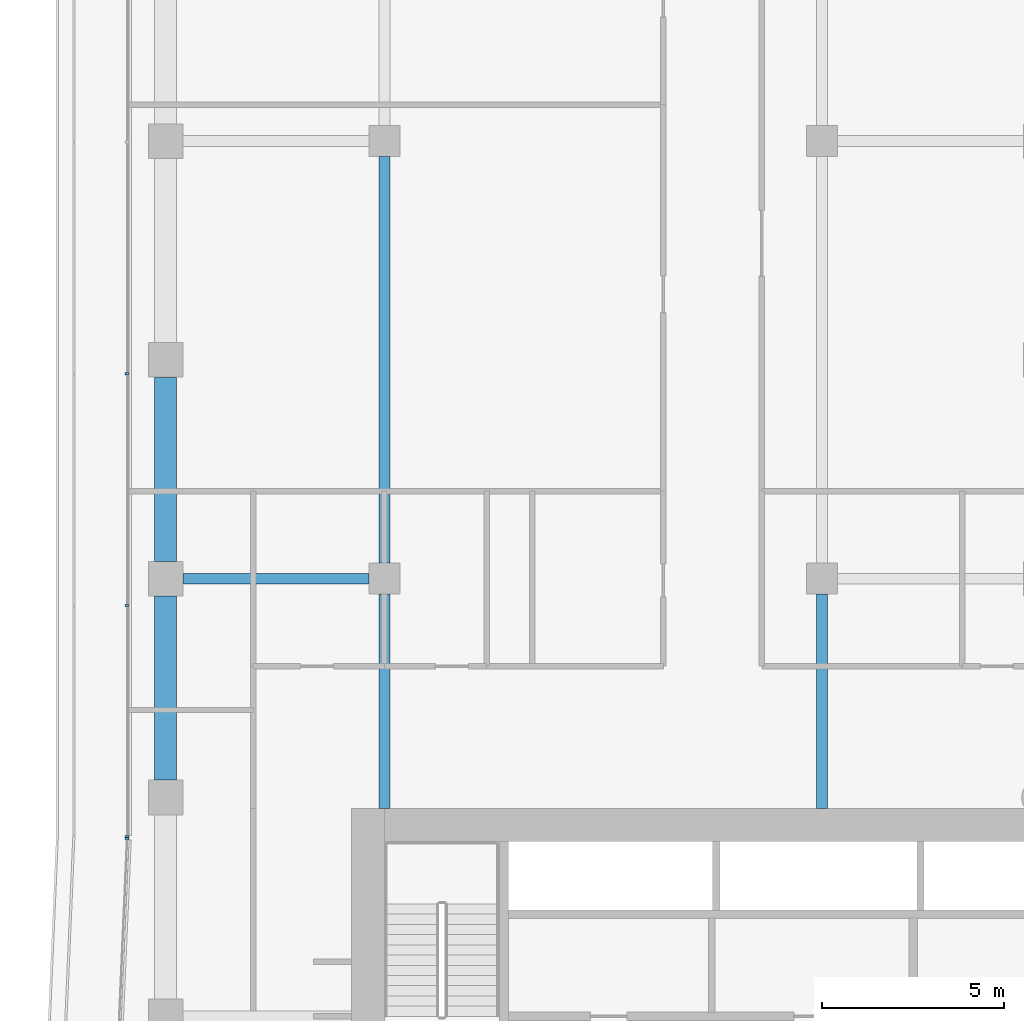
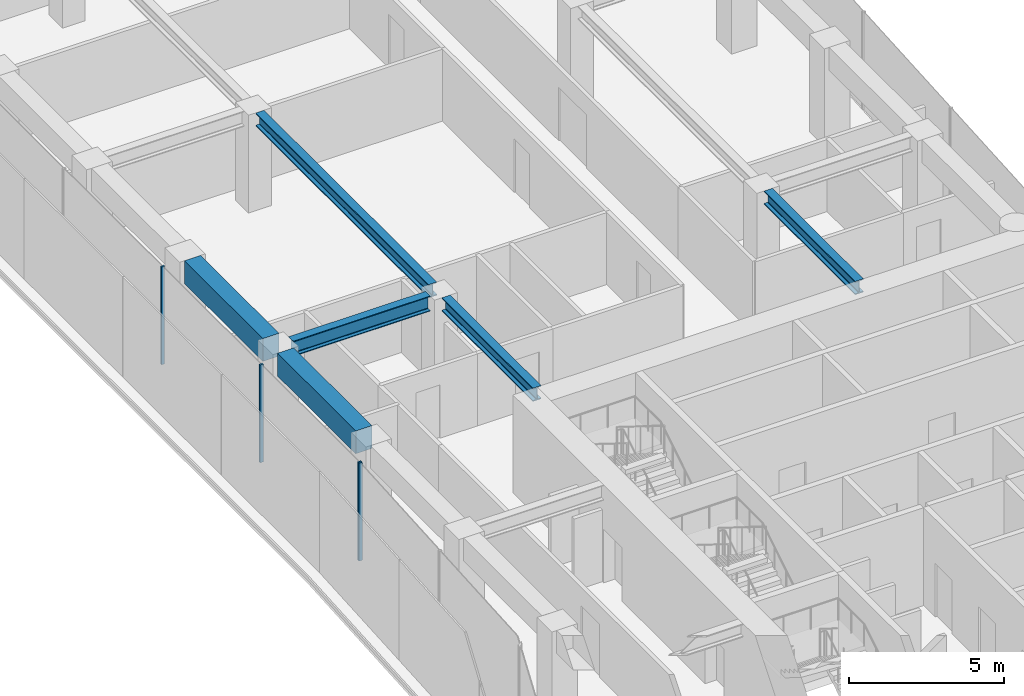
# One storey, part 12 of 29: 6 beams, 4 members, 2 elements without a shape of their own.
"""IFC4 building model written with IfcOpenShell, lengths in metres."""

from ifc_helpers import new_model, si_unit, direction, frame, origin, origin_2d, place, context, subcontext, project, spatial, rectangle, i_section, extrude, material, layer, layer_set, material_profile, profile_set, type_object, element, aggregate, save


model = new_model("IFC4")

# Units and contexts
model_context = context("Model", 3, precision=1e-05, world=origin(), true_north=direction((0.0, 1.0)))
body_context = subcontext(model_context, "Body", "Model", "MODEL_VIEW")
ifc_project = project(units=[si_unit("LENGTHUNIT", "METRE"), si_unit("AREAUNIT", "SQUARE_METRE"), si_unit("VOLUMEUNIT", "CUBIC_METRE"), si_unit("PLANEANGLEUNIT", "RADIAN"), si_unit("MASSUNIT", "GRAM", prefix="KILO")], contexts=[model_context])

# Site, building, storey
site_placement = place(None, origin())
site = spatial("IfcSite", under=ifc_project, at=site_placement, CompositionType="ELEMENT")
building_placement = place(site_placement, origin())
building = spatial("IfcBuilding", under=site, at=building_placement, Name="Welwitschia Terrace Campus", CompositionType="ELEMENT")
storey_placement = place(building_placement, frame((0.0, 0.0, 41.60009765625)))
storey = spatial("IfcBuildingStorey", under=building, at=storey_placement, Name="L09", CompositionType="ELEMENT", Elevation=41.60009765625)

# Beams
ifc_material_1 = material(Name="Steel S355", Category="steel")
ifc_material_profile_1 = material_profile(ifc_material_1, i_section(OverallWidth=0.305908203125, OverallDepth=0.52392578125, WebThickness=0.02099609375, FlangeThickness=0.0400390625, FilletRadius=0.027099609375, at=origin_2d()))
ifc_profile_set_1 = profile_set([ifc_material_profile_1], Name="Steel S355")
beam_type_1 = type_object("IfcBeamType", Name="Interior girder HE 500 M", PredefinedType="BEAM", material=ifc_profile_set_1)
beam_1_placement = place(storey_placement, frame((6.0, 25.700927734375, 3.587890625), z_axis=(0.0, 1.0, 0.0), x_axis=(-1.0, 0.0, 0.0)))
element("IfcBeam", 1, at=beam_1_placement, inside=storey, type_object=beam_type_1, Name="Girder GB2", PredefinedType="BEAM", context=body_context, shape_type="SweptSolid", body=[
    extrude(i_section(OverallWidth=0.305908203125, OverallDepth=0.52392578125, WebThickness=0.02099609375, FlangeThickness=0.0400390625, FilletRadius=0.027099609375, at=origin_2d()), origin(), (0.0, 0.0, 1.0), 5.87353515625),
])
beam_2_placement = place(storey_placement, frame((6.0, 32.425537109375, 3.587890625), z_axis=(0.0, 1.0, 0.0), x_axis=(-1.0, 0.0, 0.0)))
element("IfcBeam", 2, at=beam_2_placement, inside=storey, type_object=beam_type_1, Name="Girder GB2", PredefinedType="BEAM", context=body_context, shape_type="SweptSolid", body=[
    extrude(i_section(OverallWidth=0.305908203125, OverallDepth=0.52392578125, WebThickness=0.02099609375, FlangeThickness=0.0400390625, FilletRadius=0.027099609375, at=origin_2d()), origin(), (0.0, 0.0, 1.0), 11.14892578125),
])
beam_3_placement = place(storey_placement, frame((18.0, 25.700927734375, 3.587890625), z_axis=(0.0, 1.0, 0.0), x_axis=(-1.0, 0.0, 0.0)))
element("IfcBeam", 3, at=beam_3_placement, inside=storey, type_object=beam_type_1, Name="Girder GB2", PredefinedType="BEAM", context=body_context, shape_type="SweptSolid", body=[
    extrude(i_section(OverallWidth=0.305908203125, OverallDepth=0.52392578125, WebThickness=0.02099609375, FlangeThickness=0.0400390625, FilletRadius=0.027099609375, at=origin_2d()), origin(), (0.0, 0.0, 1.0), 5.87353515625),
])

# Curtain wall, member
ifc_material_2 = material(Name="Bronze anodised aluminium", Category="aluminium")
ifc_layer = layer(ifc_material_2, 0.1201171875)
ifc_layer_set = layer_set([ifc_layer], Name="Bronze anodised aluminium")
curtain_wall_type = type_object("IfcCurtainWallType", Name="Curtain wall CW2 tower 6000", PredefinedType="NOTDEFINED", material=ifc_layer_set)
curtain_wall_1_placement = place(storey_placement, origin())
curtain_wall_1 = element("IfcCurtainWall", 4, at=curtain_wall_1_placement, inside=storey, type_object=curtain_wall_type, Name="CW L09.0.0", PredefinedType="NOTDEFINED")
ifc_material_3 = material(Name="Bronze anodised aluminium", Category="aluminium")
ifc_material_profile_2 = material_profile(ifc_material_3, rectangle(XDim=0.1201171875, YDim=0.06005859375, at=origin_2d()))
ifc_profile_set_2 = profile_set([ifc_material_profile_2], Name="Bronze anodised aluminium")
member_type = type_object("IfcMemberType", Name="Mullion 60x120", PredefinedType="MULLION", material=ifc_profile_set_2)
member_1_placement = place(storey_placement, frame((-1.059326171875, 24.873291015625, 0.0), z_axis=(0.0, 0.0, 1.0), x_axis=(0.999048221582, -0.043619387365, 0.0)))
member_1 = element("IfcMember", 5, at=member_1_placement, type_object=member_type, Name="Mullion L09.0.0.0", PredefinedType="MULLION", context=body_context, shape_type="SweptSolid", body=[
    extrude(rectangle(XDim=0.1201171875, YDim=0.06005859375, at=origin_2d()), origin(), (0.0, 0.0, 1.0), 3.849853515625),
])
aggregate(curtain_wall_1, [member_1])

# Curtain wall, members
curtain_wall_2_placement = place(storey_placement, origin())
curtain_wall_2 = element("IfcCurtainWall", 6, at=curtain_wall_2_placement, inside=storey, type_object=curtain_wall_type, Name="CW L09.13.0", PredefinedType="NOTDEFINED")
member_2_placement = place(storey_placement, frame((-1.05810546875, 37.6201171875, 0.0), z_axis=(0.0, 0.0, 1.0), x_axis=(1.0, 0.0, 0.0)))
member_2 = element("IfcMember", 7, at=member_2_placement, type_object=member_type, Name="Mullion L09.13.0.4", PredefinedType="MULLION", context=body_context, shape_type="SweptSolid", body=[
    extrude(rectangle(XDim=0.1201171875, YDim=0.06005859375, at=origin_2d()), origin(), (0.0, 0.0, 1.0), 3.849853515625),
])
member_3_placement = place(storey_placement, frame((-1.05810546875, 31.26171875, 0.0), z_axis=(0.0, 0.0, 1.0), x_axis=(1.0, 0.0, 0.0)))
member_3 = element("IfcMember", 8, at=member_3_placement, type_object=member_type, Name="Mullion L09.13.0.5", PredefinedType="MULLION", context=body_context, shape_type="SweptSolid", body=[
    extrude(rectangle(XDim=0.1201171875, YDim=0.06005859375, at=origin_2d()), origin(), (0.0, 0.0, 1.0), 3.849853515625),
])
member_4_placement = place(storey_placement, frame((-1.05810546875, 24.93310546875, 0.0), z_axis=(0.0, 0.0, 1.0), x_axis=(1.0, 0.0, 0.0)))
member_4 = element("IfcMember", 9, at=member_4_placement, type_object=member_type, Name="Mullion L09.13.0.6", PredefinedType="MULLION", context=body_context, shape_type="SweptSolid", body=[
    extrude(rectangle(XDim=0.1201171875, YDim=0.06005859375, at=origin_2d()), origin(), (0.0, 0.0, 1.0), 3.849853515625),
])
aggregate(curtain_wall_2, [member_2, member_3, member_4])

# Beams
ifc_material_4 = material(Name="Steel S355", Category="steel")
ifc_material_profile_3 = material_profile(ifc_material_4, i_section(OverallWidth=0.300048828125, OverallDepth=0.60009765625, WebThickness=0.015380859375, FlangeThickness=0.030029296875, FilletRadius=0.027099609375, at=origin_2d()))
ifc_profile_set_3 = profile_set([ifc_material_profile_3], Name="Steel S355")
beam_type_2 = type_object("IfcBeamType", Name="Primary beam HE 600 B", PredefinedType="BEAM", material=ifc_profile_set_3)
beam_4_placement = place(storey_placement, frame((0.4755859375, 32.0, 3.5498046875), z_axis=(1.0, 0.0, 0.0), x_axis=(0.0, 1.0, 0.0)))
element("IfcBeam", 10, at=beam_4_placement, inside=storey, type_object=beam_type_2, Name="Primary beam PB2", PredefinedType="BEAM", context=body_context, shape_type="SweptSolid", body=[
    extrude(i_section(OverallWidth=0.300048828125, OverallDepth=0.60009765625, WebThickness=0.015380859375, FlangeThickness=0.030029296875, FilletRadius=0.027099609375, at=origin_2d()), origin(), (0.0, 0.0, 1.0), 5.098876953125),
])
ifc_material_5 = material(Name="Concrete C60/75", Category="concrete")
ifc_material_profile_4 = material_profile(ifc_material_5, rectangle(XDim=0.60009765625, YDim=0.89990234375, at=origin_2d()))
ifc_profile_set_4 = profile_set([ifc_material_profile_4], Name="Concrete C60/75")
beam_type_3 = type_object("IfcBeamType", Name="Ring spandrel 600x900", PredefinedType="SPANDREL", material=ifc_profile_set_4)
for number, where, z_axis, x_axis, name in (
    (11, (0.0, 37.5244140625, 3.39990234375), (0.0, -1.0, 0.0), (1.0, 0.0, 0.0), "Spandrel SP2"),
    (12, (0.0, 31.5244140625, 3.39990234375), (0.0, -1.0, 0.0), (1.0, 0.0, 0.0), "Spandrel SP2"),
):
    element("IfcBeam", number, at=place(storey_placement, frame(where, z_axis=z_axis, x_axis=x_axis)), inside=storey, type_object=beam_type_3, Name=name, PredefinedType="SPANDREL", context=body_context, shape_type="SweptSolid", body=[
        extrude(rectangle(XDim=0.60009765625, YDim=0.89990234375, at=origin_2d()), origin(), (0.0, 0.0, 1.0), 5.048828125),
    ])

save(model, "model.ifc")
